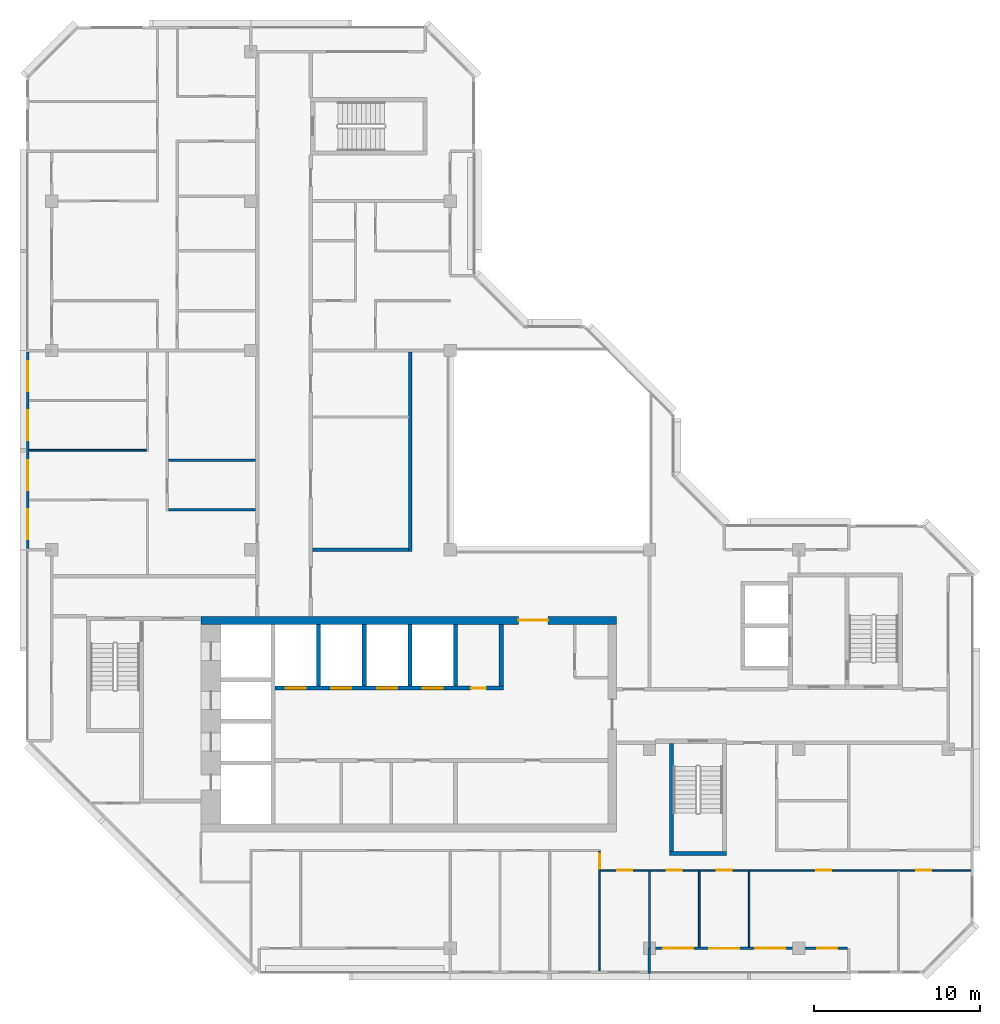
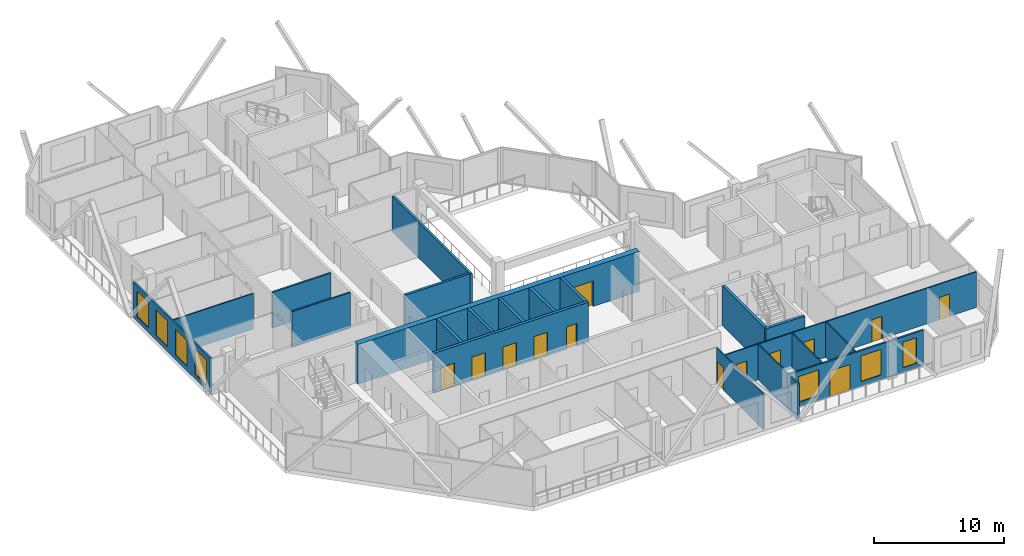
# One storey, part 5 of 12: 22 walls, 13 doors, 7 windows, 20 openings.
"""IFC4 building model written with IfcOpenShell, lengths in metres."""

from ifc_helpers import new_model, si_unit, direction, frame, frame_2d, origin, place, context, subcontext, project, spatial, rectangle, extrude, material, layer, layer_set, type_object, element, fill, save


model = new_model("IFC4")

# Units and contexts
model_context = context("Model", 3, precision=1e-05, world=origin(), true_north=direction((0.0, 1.0)))
body_context = subcontext(model_context, "Body", "Model", "MODEL_VIEW")
ifc_project = project(units=[si_unit("LENGTHUNIT", "METRE"), si_unit("AREAUNIT", "SQUARE_METRE"), si_unit("VOLUMEUNIT", "CUBIC_METRE"), si_unit("PLANEANGLEUNIT", "RADIAN"), si_unit("MASSUNIT", "GRAM", prefix="KILO")], contexts=[model_context])

# Site, building, storey
site_placement = place(None, origin())
site = spatial("IfcSite", under=ifc_project, at=site_placement, CompositionType="ELEMENT")
building_placement = place(site_placement, origin())
building = spatial("IfcBuilding", under=site, at=building_placement, Name="Chenar Terraces", CompositionType="ELEMENT")
storey_placement = place(building_placement, frame((0.0, 0.0, 361.39990234375)))
storey = spatial("IfcBuildingStorey", under=building, at=storey_placement, Name="L84", CompositionType="ELEMENT", Elevation=361.39990234375)

# Wall, openings, doors
ifc_material_1 = material(Name="Concrete C50/60", Category="concrete")
ifc_layer_1 = layer(ifc_material_1, 0.25)
ifc_layer_set_1 = layer_set([ifc_layer_1], Name="Concrete C50/60")
wall_type_1 = type_object("IfcWallType", Name="Core wall 250 Concrete C50/60", PredefinedType="SHEAR", material=ifc_layer_set_1)
wall_1_placement = place(storey_placement, frame((13.449951171875, 15.675048828125, 0.0), z_axis=(0.0, 0.0, 1.0), x_axis=(1.0, 0.0, 0.0)))
wall_1 = element("IfcWall", 1, at=wall_1_placement, inside=storey, type_object=wall_type_1, Name="Core wall NF L84", PredefinedType="SHEAR", context=body_context, shape_type="SweptSolid", body=[
    extrude(rectangle(XDim=13.75, YDim=0.25, at=frame_2d((6.875, 0.0))), origin(), (0.0, 0.0, 1.0), 3.75),
])
opening_1_placement = place(wall_1_placement, frame((0.64990234375, 0.0, 0.0)))
opening_1 = element("IfcOpeningElement", 2, at=opening_1_placement, cuts=wall_1, Name="Opening DL84-LD1", PredefinedType="OPENING", context=body_context, shape_type="SweptSolid", body=[
    extrude(rectangle(XDim=1.199951171875, YDim=2.199951171875, at=frame_2d((0.60009765625, 1.10009765625))), frame((0.0, 0.135009765625, 0.0), z_axis=(0.0, -1.0, 0.0), x_axis=(1.0, 0.0, 0.0)), (0.0, 0.0, 1.0), 0.27001953125),
])
opening_2_placement = place(wall_1_placement, frame((3.39990234375, 0.0, 0.0)))
opening_2 = element("IfcOpeningElement", 3, at=opening_2_placement, cuts=wall_1, Name="Opening DL84-LD2", PredefinedType="OPENING", context=body_context, shape_type="SweptSolid", body=[
    extrude(rectangle(XDim=1.199951171875, YDim=2.199951171875, at=frame_2d((0.60009765625, 1.10009765625))), frame((0.0, 0.135009765625, 0.0), z_axis=(0.0, -1.0, 0.0), x_axis=(1.0, 0.0, 0.0)), (0.0, 0.0, 1.0), 0.27001953125),
])
opening_3_placement = place(wall_1_placement, frame((6.14990234375, 0.0, 0.0)))
opening_3 = element("IfcOpeningElement", 4, at=opening_3_placement, cuts=wall_1, Name="Opening DL84-LD3", PredefinedType="OPENING", context=body_context, shape_type="SweptSolid", body=[
    extrude(rectangle(XDim=1.199951171875, YDim=2.199951171875, at=frame_2d((0.60009765625, 1.10009765625))), frame((0.0, 0.135009765625, 0.0), z_axis=(0.0, -1.0, 0.0), x_axis=(1.0, 0.0, 0.0)), (0.0, 0.0, 1.0), 0.27001953125),
])
opening_4_placement = place(wall_1_placement, frame((8.89990234375, 0.0, 0.0)))
opening_4 = element("IfcOpeningElement", 5, at=opening_4_placement, cuts=wall_1, Name="Opening DL84-LD4", PredefinedType="OPENING", context=body_context, shape_type="SweptSolid", body=[
    extrude(rectangle(XDim=1.199951171875, YDim=2.199951171875, at=frame_2d((0.60009765625, 1.10009765625))), frame((0.0, 0.135009765625, 0.0), z_axis=(0.0, -1.0, 0.0), x_axis=(1.0, 0.0, 0.0)), (0.0, 0.0, 1.0), 0.27001953125),
])
opening_5_placement = place(wall_1_placement, frame((11.800048828125, 0.0, 0.0)))
opening_5 = element("IfcOpeningElement", 6, at=opening_5_placement, cuts=wall_1, Name="Opening DL84-C16", PredefinedType="OPENING", context=body_context, shape_type="SweptSolid", body=[
    extrude(rectangle(XDim=0.89990234375, YDim=2.10009765625, at=frame_2d((0.449951171875, 1.050048828125))), frame((0.0, 0.135009765625, 0.0), z_axis=(0.0, -1.0, 0.0), x_axis=(1.0, 0.0, 0.0)), (0.0, 0.0, 1.0), 0.27001953125),
])
ifc_material_2 = material(Name="Stainless steel", Category="steel")
door_type_1 = type_object("IfcDoorType", Name="Lift landing door 1200 x 2200 sliding", OperationType="DOUBLE_DOOR_SLIDING", PredefinedType="DOOR", material=ifc_material_2)
door_1_placement = place(opening_1_placement, origin())
door_1 = element("IfcDoor", 7, at=door_1_placement, inside=storey, type_object=door_type_1, Name="Landing door H1", OperationType="DOUBLE_DOOR_SLIDING", OverallHeight=2.199951171875, OverallWidth=1.199951171875, PredefinedType="DOOR", context=body_context, shape_type="SweptSolid", body=[
    extrude(rectangle(XDim=1.199951171875, YDim=2.199951171875, at=frame_2d((0.60009765625, 1.10009765625))), frame((0.0, 0.02490234375, 0.0), z_axis=(0.0, -1.0, 0.0), x_axis=(1.0, 0.0, 0.0)), (0.0, 0.0, 1.0), 0.050048828125),
])
fill(opening_1, door_1)
door_2_placement = place(opening_2_placement, origin())
door_2 = element("IfcDoor", 8, at=door_2_placement, inside=storey, type_object=door_type_1, Name="Landing door H2", OperationType="DOUBLE_DOOR_SLIDING", OverallHeight=2.199951171875, OverallWidth=1.199951171875, PredefinedType="DOOR", context=body_context, shape_type="SweptSolid", body=[
    extrude(rectangle(XDim=1.199951171875, YDim=2.199951171875, at=frame_2d((0.60009765625, 1.10009765625))), frame((0.0, 0.02490234375, 0.0), z_axis=(0.0, -1.0, 0.0), x_axis=(1.0, 0.0, 0.0)), (0.0, 0.0, 1.0), 0.050048828125),
])
fill(opening_2, door_2)
door_3_placement = place(opening_3_placement, origin())
door_3 = element("IfcDoor", 9, at=door_3_placement, inside=storey, type_object=door_type_1, Name="Landing door H3", OperationType="DOUBLE_DOOR_SLIDING", OverallHeight=2.199951171875, OverallWidth=1.199951171875, PredefinedType="DOOR", context=body_context, shape_type="SweptSolid", body=[
    extrude(rectangle(XDim=1.199951171875, YDim=2.199951171875, at=frame_2d((0.60009765625, 1.10009765625))), frame((0.0, 0.02490234375, 0.0), z_axis=(0.0, -1.0, 0.0), x_axis=(1.0, 0.0, 0.0)), (0.0, 0.0, 1.0), 0.050048828125),
])
fill(opening_3, door_3)
door_4_placement = place(opening_4_placement, origin())
door_4 = element("IfcDoor", 10, at=door_4_placement, inside=storey, type_object=door_type_1, Name="Landing door H4", OperationType="DOUBLE_DOOR_SLIDING", OverallHeight=2.199951171875, OverallWidth=1.199951171875, PredefinedType="DOOR", context=body_context, shape_type="SweptSolid", body=[
    extrude(rectangle(XDim=1.199951171875, YDim=2.199951171875, at=frame_2d((0.60009765625, 1.10009765625))), frame((0.0, 0.02490234375, 0.0), z_axis=(0.0, -1.0, 0.0), x_axis=(1.0, 0.0, 0.0)), (0.0, 0.0, 1.0), 0.050048828125),
])
fill(opening_4, door_4)
ifc_material_3 = material(Name="Steel-framed fire-resisting door leaf", Category="steel")
door_type_2 = type_object("IfcDoorType", Name="Riser fire door FD60 900 x 2100", OperationType="SINGLE_SWING_LEFT", PredefinedType="DOOR", material=ifc_material_3)
door_5_placement = place(opening_5_placement, origin())
door_5 = element("IfcDoor", 11, at=door_5_placement, inside=storey, type_object=door_type_2, Name="Core room door DL84-C16", OperationType="SINGLE_SWING_RIGHT", OverallHeight=2.10009765625, OverallWidth=0.89990234375, PredefinedType="DOOR", context=body_context, shape_type="SweptSolid", body=[
    extrude(rectangle(XDim=0.89990234375, YDim=2.10009765625, at=frame_2d((0.449951171875, 1.050048828125))), frame((0.0, 0.02490234375, 0.0), z_axis=(0.0, -1.0, 0.0), x_axis=(1.0, 0.0, 0.0)), (0.0, 0.0, 1.0), 0.050048828125),
])
fill(opening_5, door_5)

# Walls
for number, where, z_axis, x_axis, name in (
    (12, (16.074951171875, 15.800048828125, 0.0), (0.0, 0.0, 1.0), (0.0, 1.0, 0.0), "Core wall NS0 L84"),
    (13, (18.824951171875, 15.800048828125, 0.0), (0.0, 0.0, 1.0), (0.0, 1.0, 0.0), "Core wall NS1 L84"),
    (14, (21.574951171875, 15.800048828125, 0.0), (0.0, 0.0, 1.0), (0.0, 1.0, 0.0), "Core wall NS2 L84"),
    (15, (24.324951171875, 15.800048828125, 0.0), (0.0, 0.0, 1.0), (0.0, 1.0, 0.0), "Core wall NS3 L84"),
    (16, (27.074951171875, 15.800048828125, 0.0), (0.0, 0.0, 1.0), (0.0, 1.0, 0.0), "Core wall NE L84"),
):
    element("IfcWall", number, at=place(storey_placement, frame(where, z_axis=z_axis, x_axis=x_axis)), inside=storey, type_object=wall_type_1, Name=name, PredefinedType="SHEAR", context=body_context, shape_type="SweptSolid", body=[
        extrude(rectangle(XDim=3.699951171875, YDim=0.25, at=frame_2d((1.85009765625, 0.0))), origin(), (0.0, 0.0, 1.0), 3.75),
    ])
wall_2_placement = place(storey_placement, frame((37.199951171875, 5.72509765625, 0.0), z_axis=(0.0, 0.0, 1.0), x_axis=(1.0, 0.0, 0.0)))
element("IfcWall", 17, at=wall_2_placement, inside=storey, type_object=wall_type_1, Name="Core wall ST2_S L84", PredefinedType="SHEAR", context=body_context, shape_type="SweptSolid", body=[
    extrude(rectangle(XDim=3.449951171875, YDim=0.25, at=frame_2d((1.72509765625, 0.0))), origin(), (0.0, 0.0, 1.0), 3.75),
])
wall_3_placement = place(storey_placement, frame((37.324951171875, 5.85009765625, 0.0), z_axis=(0.0, 0.0, 1.0), x_axis=(0.0, 1.0, 0.0)))
element("IfcWall", 18, at=wall_3_placement, inside=storey, type_object=wall_type_1, Name="Core wall ST2_W L84", PredefinedType="SHEAR", context=body_context, shape_type="SweptSolid", body=[
    extrude(rectangle(XDim=6.5, YDim=0.25, at=frame_2d((3.25, 0.0))), origin(), (0.0, 0.0, 1.0), 3.75),
])

# Wall, opening, door
ifc_material_4 = material(Name="Concrete C50/60", Category="concrete")
ifc_layer_2 = layer(ifc_material_4, 0.5)
ifc_layer_set_2 = layer_set([ifc_layer_2], Name="Concrete C50/60")
wall_type_2 = type_object("IfcWallType", Name="Core wall 500 Concrete C50/60", PredefinedType="SHEAR", material=ifc_layer_set_2)
wall_4_placement = place(storey_placement, frame((9.0, 19.75, 0.0), z_axis=(0.0, 0.0, 1.0), x_axis=(1.0, 0.0, 0.0)))
wall_4 = element("IfcWall", 19, at=wall_4_placement, inside=storey, type_object=wall_type_2, Name="Core wall N L84", PredefinedType="SHEAR", context=body_context, shape_type="SweptSolid", body=[
    extrude(rectangle(XDim=25.0, YDim=0.5, at=frame_2d((12.5, 0.0))), origin(), (0.0, 0.0, 1.0), 3.75),
])
opening_6_placement = place(wall_4_placement, frame((19.10009765625, 0.0, 0.0)))
opening_6 = element("IfcOpeningElement", 20, at=opening_6_placement, cuts=wall_4, Name="Opening DL84-C2", PredefinedType="OPENING", context=body_context, shape_type="SweptSolid", body=[
    extrude(rectangle(XDim=1.800048828125, YDim=2.39990234375, at=frame_2d((0.89990234375, 1.199951171875))), frame((0.0, 0.260009765625, 0.0), z_axis=(0.0, -1.0, 0.0), x_axis=(1.0, 0.0, 0.0)), (0.0, 0.0, 1.0), 0.52001953125),
])
ifc_material_5 = material(Name="Steel-framed fire-resisting door leaf", Category="steel")
door_type_3 = type_object("IfcDoorType", Name="Core entrance double fire door FD60 1800 x 2400", OperationType="DOUBLE_DOOR_SINGLE_SWING", PredefinedType="DOOR", material=ifc_material_5)
door_6_placement = place(opening_6_placement, frame((1.800048828125, 0.0, 0.0), z_axis=(0.0, 0.0, 1.0), x_axis=(-1.0, 0.0, 0.0)))
door_6 = element("IfcDoor", 21, at=door_6_placement, inside=storey, type_object=door_type_3, Name="Core door DL84-C2", OperationType="DOUBLE_DOOR_SINGLE_SWING", OverallHeight=2.39990234375, OverallWidth=1.800048828125, PredefinedType="DOOR", context=body_context, shape_type="SweptSolid", body=[
    extrude(rectangle(XDim=1.800048828125, YDim=2.39990234375, at=frame_2d((0.89990234375, 1.199951171875))), frame((0.0, 0.02490234375, 0.0), z_axis=(0.0, -1.0, 0.0), x_axis=(1.0, 0.0, 0.0)), (0.0, 0.0, 1.0), 0.050048828125),
])
fill(opening_6, door_6)

# Walls
ifc_material_6 = material(Name="Gypsum board on steel studs with fire boards", Category="steel")
ifc_layer_3 = layer(ifc_material_6, 0.199951171875)
ifc_layer_set_3 = layer_set([ifc_layer_3], Name="Gypsum board on steel studs with fire boards")
wall_type_3 = type_object("IfcWallType", Name="Corridor wall 200", PredefinedType="PARTITIONING", material=ifc_layer_set_3)
wall_5_placement = place(storey_placement, frame((15.699951171875, 24.0, 0.0), z_axis=(0.0, 0.0, 1.0), x_axis=(1.0, 0.0, 0.0)))
element("IfcWall", 22, at=wall_5_placement, inside=storey, type_object=wall_type_3, Name="Partition L84-034", PredefinedType="PARTITIONING", context=body_context, shape_type="SweptSolid", body=[
    extrude(rectangle(XDim=5.800048828125, YDim=0.199951171875, at=frame_2d((2.89990234375, 0.0))), origin(), (0.0, 0.0, 1.0), 3.35009765625),
])
wall_6_placement = place(storey_placement, frame((21.60009765625, 23.89990234375, 0.0), z_axis=(0.0, 0.0, 1.0), x_axis=(0.0, 1.0, 0.0)))
element("IfcWall", 23, at=wall_6_placement, inside=storey, type_object=wall_type_3, Name="Partition L84-045", PredefinedType="PARTITIONING", context=body_context, shape_type="SweptSolid", body=[
    extrude(rectangle(XDim=12.0, YDim=0.199951171875, at=frame_2d((6.0, 0.0))), origin(), (0.0, 0.0, 1.0), 3.35009765625),
])

# Wall, openings, windows
ifc_material_7 = material(Name="Aluminium framed glazing", Category="aluminium")
ifc_layer_4 = layer(ifc_material_7, 0.14990234375)
ifc_layer_set_4 = layer_set([ifc_layer_4], Name="Aluminium framed glazing")
wall_type_4 = type_object("IfcWallType", Name="Glazed flush facade wall 150", PredefinedType="SOLIDWALL", material=ifc_layer_set_4)
wall_7_placement = place(storey_placement, frame((-1.425048828125, 35.925048828125, 0.0), z_axis=(0.0, 0.0, 1.0), x_axis=(0.0, -1.0, 0.0)))
wall_7 = element("IfcWall", 24, at=wall_7_placement, inside=storey, type_object=wall_type_4, Name="Glazed flush facade wall", PredefinedType="SOLIDWALL", context=body_context, shape_type="SweptSolid", body=[
    extrude(rectangle(XDim=11.85009765625, YDim=0.14990234375, at=frame_2d((5.925048828125, 0.0))), origin(), (0.0, 0.0, 1.0), 3.35009765625),
])
opening_7_placement = place(wall_7_placement, frame((0.5625, 0.0, 0.449951171875)))
opening_7 = element("IfcOpeningElement", 25, at=opening_7_placement, cuts=wall_7, Name="Opening W180x240", PredefinedType="OPENING", context=body_context, shape_type="SweptSolid", body=[
    extrude(rectangle(XDim=1.800048828125, YDim=2.39990234375, at=frame_2d((0.89990234375, 1.199951171875))), frame((0.0, 0.0849609375, 0.0), z_axis=(0.0, -1.0, 0.0), x_axis=(1.0, 0.0, 0.0)), (0.0, 0.0, 1.0), 0.169921875),
])
opening_8_placement = place(wall_7_placement, frame((3.52490234375, 0.0, 0.449951171875)))
opening_8 = element("IfcOpeningElement", 26, at=opening_8_placement, cuts=wall_7, Name="Opening W180x240", PredefinedType="OPENING", context=body_context, shape_type="SweptSolid", body=[
    extrude(rectangle(XDim=1.800048828125, YDim=2.39990234375, at=frame_2d((0.89990234375, 1.199951171875))), frame((0.0, 0.0849609375, 0.0), z_axis=(0.0, -1.0, 0.0), x_axis=(1.0, 0.0, 0.0)), (0.0, 0.0, 1.0), 0.169921875),
])
opening_9_placement = place(wall_7_placement, frame((6.52490234375, 0.0, 0.449951171875)))
opening_9 = element("IfcOpeningElement", 27, at=opening_9_placement, cuts=wall_7, Name="Opening W180x240", PredefinedType="OPENING", context=body_context, shape_type="SweptSolid", body=[
    extrude(rectangle(XDim=1.800048828125, YDim=2.39990234375, at=frame_2d((0.89990234375, 1.199951171875))), frame((0.0, 0.0849609375, 0.0), z_axis=(0.0, -1.0, 0.0), x_axis=(1.0, 0.0, 0.0)), (0.0, 0.0, 1.0), 0.169921875),
])
opening_10_placement = place(wall_7_placement, frame((9.487548828125, 0.0, 0.449951171875)))
opening_10 = element("IfcOpeningElement", 28, at=opening_10_placement, cuts=wall_7, Name="Opening W180x240", PredefinedType="OPENING", context=body_context, shape_type="SweptSolid", body=[
    extrude(rectangle(XDim=1.800048828125, YDim=2.39990234375, at=frame_2d((0.89990234375, 1.199951171875))), frame((0.0, 0.0849609375, 0.0), z_axis=(0.0, -1.0, 0.0), x_axis=(1.0, 0.0, 0.0)), (0.0, 0.0, 1.0), 0.169921875),
])
ifc_material_8 = material(Name="Low emissivity double glazing, aluminium frame", Category="aluminium")
window_type_1 = type_object("IfcWindowType", Name="Fixed light 1800 x 2400", PartitioningType="SINGLE_PANEL", PredefinedType="WINDOW", material=ifc_material_8)
window_1_placement = place(opening_7_placement, origin())
window_1 = element("IfcWindow", 29, at=window_1_placement, inside=storey, type_object=window_type_1, Name="Window", OverallHeight=2.39990234375, OverallWidth=1.800048828125, PartitioningType="SINGLE_PANEL", PredefinedType="WINDOW", context=body_context, shape_type="SweptSolid", body=[
    extrude(rectangle(XDim=1.800048828125, YDim=2.39990234375, at=frame_2d((0.89990234375, 1.199951171875))), frame((0.0, 0.030029296875, 0.0), z_axis=(0.0, -1.0, 0.0), x_axis=(1.0, 0.0, 0.0)), (0.0, 0.0, 1.0), 0.06005859375),
])
fill(opening_7, window_1)
window_2_placement = place(opening_8_placement, origin())
window_2 = element("IfcWindow", 30, at=window_2_placement, inside=storey, type_object=window_type_1, Name="Window", OverallHeight=2.39990234375, OverallWidth=1.800048828125, PartitioningType="SINGLE_PANEL", PredefinedType="WINDOW", context=body_context, shape_type="SweptSolid", body=[
    extrude(rectangle(XDim=1.800048828125, YDim=2.39990234375, at=frame_2d((0.89990234375, 1.199951171875))), frame((0.0, 0.030029296875, 0.0), z_axis=(0.0, -1.0, 0.0), x_axis=(1.0, 0.0, 0.0)), (0.0, 0.0, 1.0), 0.06005859375),
])
fill(opening_8, window_2)
window_3_placement = place(opening_9_placement, origin())
window_3 = element("IfcWindow", 31, at=window_3_placement, inside=storey, type_object=window_type_1, Name="Window", OverallHeight=2.39990234375, OverallWidth=1.800048828125, PartitioningType="SINGLE_PANEL", PredefinedType="WINDOW", context=body_context, shape_type="SweptSolid", body=[
    extrude(rectangle(XDim=1.800048828125, YDim=2.39990234375, at=frame_2d((0.89990234375, 1.199951171875))), frame((0.0, 0.030029296875, 0.0), z_axis=(0.0, -1.0, 0.0), x_axis=(1.0, 0.0, 0.0)), (0.0, 0.0, 1.0), 0.06005859375),
])
fill(opening_9, window_3)
window_4_placement = place(opening_10_placement, origin())
window_4 = element("IfcWindow", 32, at=window_4_placement, inside=storey, type_object=window_type_1, Name="Window", OverallHeight=2.39990234375, OverallWidth=1.800048828125, PartitioningType="SINGLE_PANEL", PredefinedType="WINDOW", context=body_context, shape_type="SweptSolid", body=[
    extrude(rectangle(XDim=1.800048828125, YDim=2.39990234375, at=frame_2d((0.89990234375, 1.199951171875))), frame((0.0, 0.030029296875, 0.0), z_axis=(0.0, -1.0, 0.0), x_axis=(1.0, 0.0, 0.0)), (0.0, 0.0, 1.0), 0.06005859375),
])
fill(opening_10, window_4)

# Wall, openings, windows, door
ifc_material_9 = material(Name="Aluminium framed glazing", Category="aluminium")
ifc_layer_5 = layer(ifc_material_9, 0.14990234375)
ifc_layer_set_5 = layer_set([ifc_layer_5], Name="Aluminium framed glazing")
wall_type_5 = type_object("IfcWallType", Name="Glazed loggia back wall 150", PredefinedType="SOLIDWALL", material=ifc_layer_set_5)
wall_8_placement = place(storey_placement, frame((36.074951171875, 0.0, 0.0), z_axis=(0.0, 0.0, 1.0), x_axis=(1.0, 0.0, 0.0)))
wall_8 = element("IfcWall", 33, at=wall_8_placement, inside=storey, type_object=wall_type_5, Name="Glazed loggia back wall", PredefinedType="SOLIDWALL", context=body_context, shape_type="SweptSolid", body=[
    extrude(rectangle(XDim=11.85009765625, YDim=0.14990234375, at=frame_2d((5.925048828125, 0.0))), origin(), (0.0, 0.0, 1.0), 3.35009765625),
])
opening_11_placement = place(wall_8_placement, frame((0.762451171875, 0.0, 0.449951171875)))
opening_11 = element("IfcOpeningElement", 34, at=opening_11_placement, cuts=wall_8, Name="Opening W180x240", PredefinedType="OPENING", context=body_context, shape_type="SweptSolid", body=[
    extrude(rectangle(XDim=1.800048828125, YDim=2.39990234375, at=frame_2d((0.89990234375, 1.199951171875))), frame((0.0, 0.0849609375, 0.0), z_axis=(0.0, -1.0, 0.0), x_axis=(1.0, 0.0, 0.0)), (0.0, 0.0, 1.0), 0.169921875),
])
opening_12_placement = place(wall_8_placement, frame((3.52490234375, 0.0, 0.0)))
opening_12 = element("IfcOpeningElement", 35, at=opening_12_placement, cuts=wall_8, Name="Opening DL84-G4", PredefinedType="OPENING", context=body_context, shape_type="SweptSolid", body=[
    extrude(rectangle(XDim=1.800048828125, YDim=2.39990234375, at=frame_2d((0.89990234375, 1.199951171875))), frame((0.0, 0.0849609375, 0.0), z_axis=(0.0, -1.0, 0.0), x_axis=(1.0, 0.0, 0.0)), (0.0, 0.0, 1.0), 0.169921875),
])
opening_13_placement = place(wall_8_placement, frame((6.28759765625, 0.0, 0.449951171875)))
opening_13 = element("IfcOpeningElement", 36, at=opening_13_placement, cuts=wall_8, Name="Opening W180x240", PredefinedType="OPENING", context=body_context, shape_type="SweptSolid", body=[
    extrude(rectangle(XDim=1.800048828125, YDim=2.39990234375, at=frame_2d((0.89990234375, 1.199951171875))), frame((0.0, 0.0849609375, 0.0), z_axis=(0.0, -1.0, 0.0), x_axis=(1.0, 0.0, 0.0)), (0.0, 0.0, 1.0), 0.169921875),
])
opening_14_placement = place(wall_8_placement, frame((10.02490234375, 0.0, 0.449951171875)))
opening_14 = element("IfcOpeningElement", 37, at=opening_14_placement, cuts=wall_8, Name="Opening W120x240", PredefinedType="OPENING", context=body_context, shape_type="SweptSolid", body=[
    extrude(rectangle(XDim=1.199951171875, YDim=2.39990234375, at=frame_2d((0.60009765625, 1.199951171875))), frame((0.0, 0.0849609375, 0.0), z_axis=(0.0, -1.0, 0.0), x_axis=(1.0, 0.0, 0.0)), (0.0, 0.0, 1.0), 0.169921875),
])
ifc_material_10 = material(Name="Low emissivity double glazing, aluminium frame", Category="aluminium")
window_type_2 = type_object("IfcWindowType", Name="Fixed light 1200 x 2400", PartitioningType="SINGLE_PANEL", PredefinedType="WINDOW", material=ifc_material_10)
window_5_placement = place(opening_14_placement, origin())
window_5 = element("IfcWindow", 38, at=window_5_placement, inside=storey, type_object=window_type_2, Name="Window", OverallHeight=2.39990234375, OverallWidth=1.199951171875, PartitioningType="SINGLE_PANEL", PredefinedType="WINDOW", context=body_context, shape_type="SweptSolid", body=[
    extrude(rectangle(XDim=1.199951171875, YDim=2.39990234375, at=frame_2d((0.60009765625, 1.199951171875))), frame((0.0, 0.030029296875, 0.0), z_axis=(0.0, -1.0, 0.0), x_axis=(1.0, 0.0, 0.0)), (0.0, 0.0, 1.0), 0.06005859375),
])
fill(opening_14, window_5)
window_6_placement = place(opening_11_placement, origin())
window_6 = element("IfcWindow", 39, at=window_6_placement, inside=storey, type_object=window_type_1, Name="Window", OverallHeight=2.39990234375, OverallWidth=1.800048828125, PartitioningType="SINGLE_PANEL", PredefinedType="WINDOW", context=body_context, shape_type="SweptSolid", body=[
    extrude(rectangle(XDim=1.800048828125, YDim=2.39990234375, at=frame_2d((0.89990234375, 1.199951171875))), frame((0.0, 0.030029296875, 0.0), z_axis=(0.0, -1.0, 0.0), x_axis=(1.0, 0.0, 0.0)), (0.0, 0.0, 1.0), 0.06005859375),
])
fill(opening_11, window_6)
window_7_placement = place(opening_13_placement, origin())
window_7 = element("IfcWindow", 40, at=window_7_placement, inside=storey, type_object=window_type_1, Name="Window", OverallHeight=2.39990234375, OverallWidth=1.800048828125, PartitioningType="SINGLE_PANEL", PredefinedType="WINDOW", context=body_context, shape_type="SweptSolid", body=[
    extrude(rectangle(XDim=1.800048828125, YDim=2.39990234375, at=frame_2d((0.89990234375, 1.199951171875))), frame((0.0, 0.030029296875, 0.0), z_axis=(0.0, -1.0, 0.0), x_axis=(1.0, 0.0, 0.0)), (0.0, 0.0, 1.0), 0.06005859375),
])
fill(opening_13, window_7)
ifc_material_11 = material(Name="Low emissivity double glazing, aluminium frame", Category="aluminium")
door_type_4 = type_object("IfcDoorType", Name="Loggia glazed double door 1800 x 2400", OperationType="DOUBLE_DOOR_SINGLE_SWING", PredefinedType="DOOR", material=ifc_material_11)
door_7_placement = place(opening_12_placement, frame((1.800048828125, 0.0, 0.0), z_axis=(0.0, 0.0, 1.0), x_axis=(-1.0, 0.0, 0.0)))
door_7 = element("IfcDoor", 41, at=door_7_placement, inside=storey, type_object=door_type_4, Name="Loggia glazed door", OperationType="DOUBLE_DOOR_SINGLE_SWING", OverallHeight=2.39990234375, OverallWidth=1.800048828125, PredefinedType="DOOR", context=body_context, shape_type="SweptSolid", body=[
    extrude(rectangle(XDim=1.800048828125, YDim=2.39990234375, at=frame_2d((0.89990234375, 1.199951171875))), frame((0.0, 0.02490234375, 0.0), z_axis=(0.0, -1.0, 0.0), x_axis=(1.0, 0.0, 0.0)), (0.0, 0.0, 1.0), 0.050048828125),
])
fill(opening_12, door_7)

# Wall
ifc_material_12 = material(Name="Gypsum board on steel studs", Category="steel")
ifc_layer_6 = layer(ifc_material_12, 0.10009765625)
ifc_layer_set_6 = layer_set([ifc_layer_6], Name="Gypsum board on steel studs")
wall_type_6 = type_object("IfcWallType", Name="Gypsum partition 100", PredefinedType="PARTITIONING", material=ifc_layer_set_6)
wall_9_placement = place(storey_placement, frame((-1.35009765625, 30.0, 0.0), z_axis=(0.0, 0.0, 1.0), x_axis=(1.0, 0.0, 0.0)))
element("IfcWall", 42, at=wall_9_placement, inside=storey, type_object=wall_type_6, Name="Partition L84-002", PredefinedType="PARTITIONING", context=body_context, shape_type="SweptSolid", body=[
    extrude(rectangle(XDim=7.0751953125, YDim=0.10009765625, at=frame_2d((3.53759765625, 0.0))), origin(), (0.0, 0.0, 1.0), 3.35009765625),
])

# Wall, opening, door
wall_10_placement = place(storey_placement, frame((33.0, -1.35107421875, 0.0), z_axis=(0.0, 0.0, 1.0), x_axis=(0.0, 1.0, 0.0)))
wall_10 = element("IfcWall", 43, at=wall_10_placement, inside=storey, type_object=wall_type_6, Name="Partition L84-049", PredefinedType="PARTITIONING", context=body_context, shape_type="SweptSolid", body=[
    extrude(rectangle(XDim=7.201171875, YDim=0.10009765625, at=frame_2d((3.6005859375, 0.0))), origin(), (0.0, 0.0, 1.0), 3.35009765625),
])
opening_15_placement = place(wall_10_placement, frame((6.15087890625, 0.0, 0.0)))
opening_15 = element("IfcOpeningElement", 44, at=opening_15_placement, cuts=wall_10, Name="Opening DL84-28", PredefinedType="OPENING", context=body_context, shape_type="SweptSolid", body=[
    extrude(rectangle(XDim=0.89990234375, YDim=2.10009765625, at=frame_2d((0.449951171875, 1.050048828125))), frame((0.0, 0.06005859375, 0.0), z_axis=(0.0, -1.0, 0.0), x_axis=(1.0, 0.0, 0.0)), (0.0, 0.0, 1.0), 0.1201171875),
])
ifc_material_13 = material(Name="Veneered timber door leaf", Category="wood")
door_type_5 = type_object("IfcDoorType", Name="Door 900 x 2100", OperationType="SINGLE_SWING_LEFT", PredefinedType="DOOR", material=ifc_material_13)
door_8_placement = place(opening_15_placement, origin())
door_8 = element("IfcDoor", 45, at=door_8_placement, inside=storey, type_object=door_type_5, Name="Door DL84-28", OperationType="SINGLE_SWING_RIGHT", OverallHeight=2.10009765625, OverallWidth=0.89990234375, PredefinedType="DOOR", context=body_context, shape_type="SweptSolid", body=[
    extrude(rectangle(XDim=0.89990234375, YDim=2.10009765625, at=frame_2d((0.449951171875, 1.050048828125))), frame((0.0, 0.02490234375, 0.0), z_axis=(0.0, -1.0, 0.0), x_axis=(1.0, 0.0, 0.0)), (0.0, 0.0, 1.0), 0.050048828125),
])
fill(opening_15, door_8)

# Wall, openings, doors
wall_11_placement = place(storey_placement, frame((33.050048828125, 4.699951171875, 0.0), z_axis=(0.0, 0.0, 1.0), x_axis=(1.0, 0.0, 0.0)))
wall_11 = element("IfcWall", 46, at=wall_11_placement, inside=storey, type_object=wall_type_6, Name="Partition L84-050", PredefinedType="PARTITIONING", context=body_context, shape_type="SweptSolid", body=[
    extrude(rectangle(XDim=22.301025390625, YDim=0.10009765625, at=frame_2d((11.150390625, 0.0))), origin(), (0.0, 0.0, 1.0), 3.35009765625),
])
opening_16_placement = place(wall_11_placement, frame((1.0, 0.0, 0.0)))
opening_16 = element("IfcOpeningElement", 47, at=opening_16_placement, cuts=wall_11, Name="Opening DL84-29", PredefinedType="OPENING", context=body_context, shape_type="SweptSolid", body=[
    extrude(rectangle(XDim=0.89990234375, YDim=2.10009765625, at=frame_2d((0.449951171875, 1.050048828125))), frame((0.0, 0.06005859375, 0.0), z_axis=(0.0, -1.0, 0.0), x_axis=(1.0, 0.0, 0.0)), (0.0, 0.0, 1.0), 0.1201171875),
])
opening_17_placement = place(wall_11_placement, frame((4.0, 0.0, 0.0)))
opening_17 = element("IfcOpeningElement", 48, at=opening_17_placement, cuts=wall_11, Name="Opening DL84-30", PredefinedType="OPENING", context=body_context, shape_type="SweptSolid", body=[
    extrude(rectangle(XDim=0.89990234375, YDim=2.10009765625, at=frame_2d((0.449951171875, 1.050048828125))), frame((0.0, 0.06005859375, 0.0), z_axis=(0.0, -1.0, 0.0), x_axis=(1.0, 0.0, 0.0)), (0.0, 0.0, 1.0), 0.1201171875),
])
opening_18_placement = place(wall_11_placement, frame((7.0, 0.0, 0.0)))
opening_18 = element("IfcOpeningElement", 49, at=opening_18_placement, cuts=wall_11, Name="Opening DL84-31", PredefinedType="OPENING", context=body_context, shape_type="SweptSolid", body=[
    extrude(rectangle(XDim=0.89990234375, YDim=2.10009765625, at=frame_2d((0.449951171875, 1.050048828125))), frame((0.0, 0.06005859375, 0.0), z_axis=(0.0, -1.0, 0.0), x_axis=(1.0, 0.0, 0.0)), (0.0, 0.0, 1.0), 0.1201171875),
])
opening_19_placement = place(wall_11_placement, frame((19.0, 0.0, 0.0)))
opening_19 = element("IfcOpeningElement", 50, at=opening_19_placement, cuts=wall_11, Name="Opening DL84-32", PredefinedType="OPENING", context=body_context, shape_type="SweptSolid", body=[
    extrude(rectangle(XDim=0.89990234375, YDim=2.10009765625, at=frame_2d((0.449951171875, 1.050048828125))), frame((0.0, 0.06005859375, 0.0), z_axis=(0.0, -1.0, 0.0), x_axis=(1.0, 0.0, 0.0)), (0.0, 0.0, 1.0), 0.1201171875),
])
opening_20_placement = place(wall_11_placement, frame((13.0, 0.0, 0.0)))
opening_20 = element("IfcOpeningElement", 51, at=opening_20_placement, cuts=wall_11, Name="Opening DL84-39", PredefinedType="OPENING", context=body_context, shape_type="SweptSolid", body=[
    extrude(rectangle(XDim=0.89990234375, YDim=2.10009765625, at=frame_2d((0.449951171875, 1.050048828125))), frame((0.0, 0.06005859375, 0.0), z_axis=(0.0, -1.0, 0.0), x_axis=(1.0, 0.0, 0.0)), (0.0, 0.0, 1.0), 0.1201171875),
])
door_9_placement = place(opening_16_placement, frame((0.89990234375, 0.0, 0.0), z_axis=(0.0, 0.0, 1.0), x_axis=(-1.0, 0.0, 0.0)))
door_9 = element("IfcDoor", 52, at=door_9_placement, inside=storey, type_object=door_type_5, Name="Door DL84-29", OperationType="SINGLE_SWING_LEFT", OverallHeight=2.10009765625, OverallWidth=0.89990234375, PredefinedType="DOOR", context=body_context, shape_type="SweptSolid", body=[
    extrude(rectangle(XDim=0.89990234375, YDim=2.10009765625, at=frame_2d((0.449951171875, 1.050048828125))), frame((0.0, 0.02490234375, 0.0), z_axis=(0.0, -1.0, 0.0), x_axis=(1.0, 0.0, 0.0)), (0.0, 0.0, 1.0), 0.050048828125),
])
fill(opening_16, door_9)
door_10_placement = place(opening_17_placement, frame((0.89990234375, 0.0, 0.0), z_axis=(0.0, 0.0, 1.0), x_axis=(-1.0, 0.0, 0.0)))
door_10 = element("IfcDoor", 53, at=door_10_placement, inside=storey, type_object=door_type_5, Name="Door DL84-30", OperationType="SINGLE_SWING_LEFT", OverallHeight=2.10009765625, OverallWidth=0.89990234375, PredefinedType="DOOR", context=body_context, shape_type="SweptSolid", body=[
    extrude(rectangle(XDim=0.89990234375, YDim=2.10009765625, at=frame_2d((0.449951171875, 1.050048828125))), frame((0.0, 0.02490234375, 0.0), z_axis=(0.0, -1.0, 0.0), x_axis=(1.0, 0.0, 0.0)), (0.0, 0.0, 1.0), 0.050048828125),
])
fill(opening_17, door_10)
door_11_placement = place(opening_18_placement, frame((0.89990234375, 0.0, 0.0), z_axis=(0.0, 0.0, 1.0), x_axis=(-1.0, 0.0, 0.0)))
door_11 = element("IfcDoor", 54, at=door_11_placement, inside=storey, type_object=door_type_5, Name="Door DL84-31", OperationType="SINGLE_SWING_LEFT", OverallHeight=2.10009765625, OverallWidth=0.89990234375, PredefinedType="DOOR", context=body_context, shape_type="SweptSolid", body=[
    extrude(rectangle(XDim=0.89990234375, YDim=2.10009765625, at=frame_2d((0.449951171875, 1.050048828125))), frame((0.0, 0.02490234375, 0.0), z_axis=(0.0, -1.0, 0.0), x_axis=(1.0, 0.0, 0.0)), (0.0, 0.0, 1.0), 0.050048828125),
])
fill(opening_18, door_11)
door_12_placement = place(opening_19_placement, frame((0.89990234375, 0.0, 0.0), z_axis=(0.0, 0.0, 1.0), x_axis=(-1.0, 0.0, 0.0)))
door_12 = element("IfcDoor", 55, at=door_12_placement, inside=storey, type_object=door_type_5, Name="Door DL84-32", OperationType="SINGLE_SWING_RIGHT", OverallHeight=2.10009765625, OverallWidth=0.89990234375, PredefinedType="DOOR", context=body_context, shape_type="SweptSolid", body=[
    extrude(rectangle(XDim=0.89990234375, YDim=2.10009765625, at=frame_2d((0.449951171875, 1.050048828125))), frame((0.0, 0.02490234375, 0.0), z_axis=(0.0, -1.0, 0.0), x_axis=(1.0, 0.0, 0.0)), (0.0, 0.0, 1.0), 0.050048828125),
])
fill(opening_19, door_12)
door_13_placement = place(opening_20_placement, frame((0.89990234375, 0.0, 0.0), z_axis=(0.0, 0.0, 1.0), x_axis=(-1.0, 0.0, 0.0)))
door_13 = element("IfcDoor", 56, at=door_13_placement, inside=storey, type_object=door_type_5, Name="Door DL84-39", OperationType="SINGLE_SWING_LEFT", OverallHeight=2.10009765625, OverallWidth=0.89990234375, PredefinedType="DOOR", context=body_context, shape_type="SweptSolid", body=[
    extrude(rectangle(XDim=0.89990234375, YDim=2.10009765625, at=frame_2d((0.449951171875, 1.050048828125))), frame((0.0, 0.02490234375, 0.0), z_axis=(0.0, -1.0, 0.0), x_axis=(1.0, 0.0, 0.0)), (0.0, 0.0, 1.0), 0.050048828125),
])
fill(opening_20, door_13)

# Walls
wall_12_placement = place(storey_placement, frame((36.0, 0.0, 0.0), z_axis=(0.0, 0.0, 1.0), x_axis=(0.0, 1.0, 0.0)))
element("IfcWall", 57, at=wall_12_placement, inside=storey, type_object=wall_type_6, Name="Partition L84-053", PredefinedType="PARTITIONING", context=body_context, shape_type="SweptSolid", body=[
    extrude(rectangle(XDim=4.64990234375, YDim=0.10009765625, at=frame_2d((2.324951171875, 0.0))), origin(), (0.0, 0.0, 1.0), 3.35009765625),
])
for number, where, z_axis, x_axis, name in (
    (58, (39.0, 0.073974609375, 0.0), (0.0, 0.0, 1.0), (0.0, 1.0, 0.0), "Partition L84-055"),
    (59, (42.0, 0.073974609375, 0.0), (0.0, 0.0, 1.0), (0.0, 1.0, 0.0), "Partition L84-057"),
):
    element("IfcWall", number, at=place(storey_placement, frame(where, z_axis=z_axis, x_axis=x_axis)), inside=storey, type_object=wall_type_6, Name=name, PredefinedType="PARTITIONING", context=body_context, shape_type="SweptSolid", body=[
        extrude(rectangle(XDim=4.575927734375, YDim=0.10009765625, at=frame_2d((2.2880859375, 0.0))), origin(), (0.0, 0.0, 1.0), 3.35009765625),
    ])
ifc_material_14 = material(Name="Terracotta cladding on insulated backing", Category="masonry")
ifc_layer_7 = layer(ifc_material_14, 0.14990234375)
ifc_layer_set_7 = layer_set([ifc_layer_7], Name="Terracotta cladding on insulated backing")
wall_type_7 = type_object("IfcWallType", Name="Loggia return wall 150", PredefinedType="SOLIDWALL", material=ifc_layer_set_7)
wall_13_placement = place(storey_placement, frame((36.0, -1.5, 0.0), z_axis=(0.0, 0.0, 1.0), x_axis=(0.0, 1.0, 0.0)))
element("IfcWall", 60, at=wall_13_placement, inside=storey, type_object=wall_type_7, Name="Loggia return wall", PredefinedType="SOLIDWALL", context=body_context, shape_type="SweptSolid", body=[
    extrude(rectangle(XDim=1.5, YDim=0.14990234375, at=frame_2d((0.75, 0.0))), origin(), (0.0, 0.0, 1.0), 3.35009765625),
])
ifc_material_15 = material(Name="Moisture-resistant gypsum board on steel studs", Category="steel")
ifc_layer_8 = layer(ifc_material_15, 0.14990234375)
ifc_layer_set_8 = layer_set([ifc_layer_8], Name="Moisture-resistant gypsum board on steel studs")
wall_type_8 = type_object("IfcWallType", Name="Wet-room partition 150", PredefinedType="PARTITIONING", material=ifc_layer_set_8)
for number, where, z_axis, x_axis, name in (
    (61, (7.050048828125, 26.39990234375, 0.0), (0.0, 0.0, 1.0), (1.0, 0.0, 0.0), "Partition L84-017"),
    (62, (7.050048828125, 29.39990234375, 0.0), (0.0, 0.0, 1.0), (1.0, 0.0, 0.0), "Partition L84-018"),
):
    element("IfcWall", number, at=place(storey_placement, frame(where, z_axis=z_axis, x_axis=x_axis)), inside=storey, type_object=wall_type_8, Name=name, PredefinedType="PARTITIONING", context=body_context, shape_type="SweptSolid", body=[
        extrude(rectangle(XDim=5.224853515625, YDim=0.14990234375, at=frame_2d((2.6123046875, 0.0))), origin(), (0.0, 0.0, 1.0), 3.35009765625),
    ])

save(model, "model.ifc")
